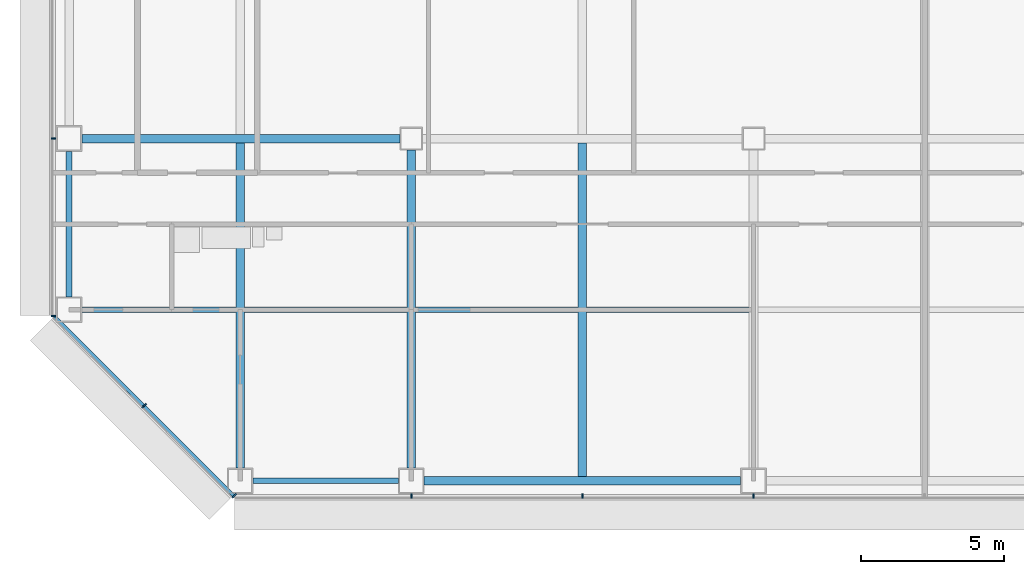
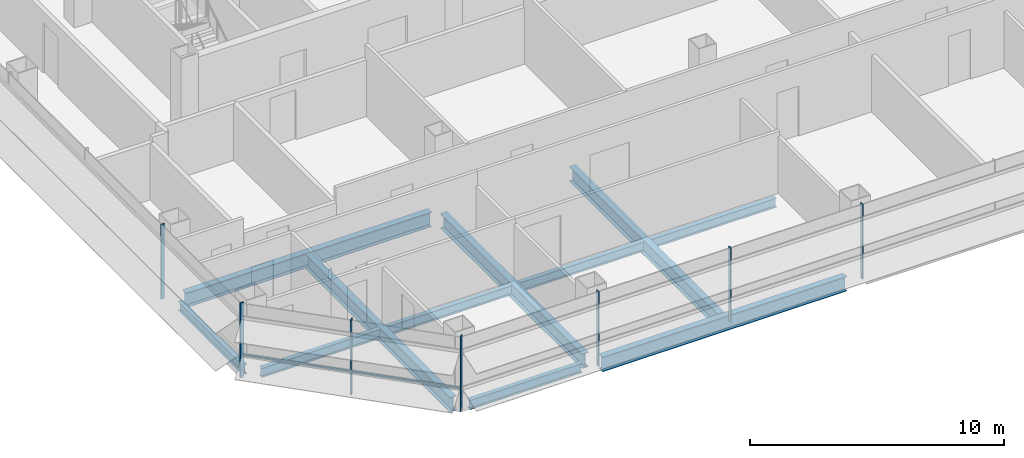
# One storey, part 2 of 27: 11 beams, 8 members, 3 elements without a shape of their own.
"""IFC4 building model written with IfcOpenShell, lengths in metres."""

from ifc_helpers import new_model, si_unit, direction, frame, origin, origin_2d, place, context, subcontext, project, spatial, rectangle, i_section, extrude, material, material_profile, profile_set, type_object, element, aggregate, save


model = new_model("IFC4")

# Units and contexts
model_context = context("Model", 3, precision=1e-05, world=origin(), true_north=direction((0.0, 1.0)))
body_context = subcontext(model_context, "Body", "Model", "MODEL_VIEW")
ifc_project = project(units=[si_unit("LENGTHUNIT", "METRE"), si_unit("AREAUNIT", "SQUARE_METRE"), si_unit("VOLUMEUNIT", "CUBIC_METRE"), si_unit("PLANEANGLEUNIT", "RADIAN"), si_unit("MASSUNIT", "GRAM", prefix="KILO")], contexts=[model_context])

# Site, building, storey
site_placement = place(None, origin())
site = spatial("IfcSite", under=ifc_project, at=site_placement, CompositionType="ELEMENT")
building_placement = place(site_placement, origin())
building = spatial("IfcBuilding", under=site, at=building_placement, Name="Sorahane Residences", CompositionType="ELEMENT")
storey_placement = place(building_placement, frame((0.0, 0.0, 75.0)))
storey = spatial("IfcBuildingStorey", under=building, at=storey_placement, Name="L15", CompositionType="ELEMENT", Elevation=75.0)

# Curtain wall, members
ifc_material_1 = material(Name="Dark low-e glass and black anodised aluminium", Category="aluminium")
curtain_wall_type_1 = type_object("IfcCurtainWallType", Name="Curtain wall CW-1 Typical unitised wall", PredefinedType="NOTDEFINED", material=ifc_material_1)
curtain_wall_1_placement = place(storey_placement, origin())
curtain_wall_1 = element("IfcCurtainWall", 1, at=curtain_wall_1_placement, inside=storey, type_object=curtain_wall_type_1, Name="CW-1 curtain wall L15 S1", PredefinedType="NOTDEFINED")
ifc_material_2 = material(Name="Black anodised aluminium", Category="aluminium")
ifc_material_profile_1 = material_profile(ifc_material_2, rectangle(XDim=0.159912109375, YDim=0.050048828125, at=origin_2d()), Name="Curtain wall mullion CW-1 black anodised aluminium 50x160")
ifc_profile_set_1 = profile_set([ifc_material_profile_1], Name="Black anodised aluminium")
member_type_1 = type_object("IfcMemberType", Name="Curtain wall mullion CW-1 black anodised aluminium 50x160", PredefinedType="MULLION", material=ifc_profile_set_1)
member_1_placement = place(storey_placement, frame((12.0, -0.5400390625, -0.179931640625), z_axis=(0.0, 0.0, 1.0), x_axis=(0.0, -1.0, 0.0)))
member_1 = element("IfcMember", 2, at=member_1_placement, type_object=member_type_1, Name="CW-1 mullion L15 S1.2", PredefinedType="MULLION", context=body_context, shape_type="SweptSolid", body=[
    extrude(rectangle(XDim=0.159912109375, YDim=0.050048828125, at=origin_2d()), origin(), (0.0, 0.0, 1.0), 3.599853515625),
])
member_2_placement = place(storey_placement, frame((18.0, -0.5400390625, -0.179931640625), z_axis=(0.0, 0.0, 1.0), x_axis=(0.0, -1.0, 0.0)))
member_2 = element("IfcMember", 3, at=member_2_placement, type_object=member_type_1, Name="CW-1 mullion L15 S1.3", PredefinedType="MULLION", context=body_context, shape_type="SweptSolid", body=[
    extrude(rectangle(XDim=0.159912109375, YDim=0.050048828125, at=origin_2d()), origin(), (0.0, 0.0, 1.0), 3.599853515625),
])
member_3_placement = place(storey_placement, frame((24.0, -0.5400390625, -0.179931640625), z_axis=(0.0, 0.0, 1.0), x_axis=(0.0, -1.0, 0.0)))
member_3 = element("IfcMember", 4, at=member_3_placement, type_object=member_type_1, Name="CW-1 mullion L15 S1.4", PredefinedType="MULLION", context=body_context, shape_type="SweptSolid", body=[
    extrude(rectangle(XDim=0.159912109375, YDim=0.050048828125, at=origin_2d()), origin(), (0.0, 0.0, 1.0), 3.599853515625),
])
aggregate(curtain_wall_1, [member_1, member_2, member_3])

curtain_wall_2_placement = place(storey_placement, origin())
curtain_wall_2 = element("IfcCurtainWall", 5, at=curtain_wall_2_placement, inside=storey, type_object=curtain_wall_type_1, Name="CW-1 curtain wall L15 W1", PredefinedType="NOTDEFINED")
member_4_placement = place(storey_placement, frame((-0.5400390625, 12.0, -0.179931640625), z_axis=(0.0, 0.0, 1.0), x_axis=(-1.0, 0.0, 0.0)))
member_4 = element("IfcMember", 6, at=member_4_placement, type_object=member_type_1, Name="CW-1 mullion L15 W1.6", PredefinedType="MULLION", context=body_context, shape_type="SweptSolid", body=[
    extrude(rectangle(XDim=0.159912109375, YDim=0.050048828125, at=origin_2d()), origin(), (0.0, 0.0, 1.0), 3.599853515625),
])
member_5_placement = place(storey_placement, frame((-0.5400390625, 5.7763671875, -0.179931640625), z_axis=(0.0, 0.0, 1.0), x_axis=(-1.0, 0.0, 0.0)))
member_5 = element("IfcMember", 7, at=member_5_placement, type_object=member_type_1, Name="CW-1 mullion L15 W1.7", PredefinedType="MULLION", context=body_context, shape_type="SweptSolid", body=[
    extrude(rectangle(XDim=0.159912109375, YDim=0.050048828125, at=origin_2d()), origin(), (0.0, 0.0, 1.0), 3.599853515625),
])
aggregate(curtain_wall_2, [member_4, member_5])

ifc_material_3 = material(Name="Dark low-e glass and black anodised aluminium", Category="aluminium")
curtain_wall_type_2 = type_object("IfcCurtainWallType", Name="Curtain wall CW-2 Chamfer unitised wall", PredefinedType="NOTDEFINED", material=ifc_material_3)
curtain_wall_3_placement = place(storey_placement, origin())
curtain_wall_3 = element("IfcCurtainWall", 8, at=curtain_wall_3_placement, inside=storey, type_object=curtain_wall_type_2, Name="CW-2 curtain wall L15 SW1", PredefinedType="NOTDEFINED")
ifc_material_4 = material(Name="Black anodised aluminium", Category="aluminium")
ifc_material_profile_2 = material_profile(ifc_material_4, rectangle(XDim=0.199951171875, YDim=0.050048828125, at=origin_2d()), Name="Curtain wall mullion CW-2 black anodised aluminium 50x200")
ifc_profile_set_2 = profile_set([ifc_material_profile_2], Name="Black anodised aluminium")
member_type_2 = type_object("IfcMemberType", Name="Curtain wall mullion CW-2 black anodised aluminium 50x200", PredefinedType="MULLION", material=ifc_profile_set_2)
member_6_placement = place(storey_placement, frame((2.63232421875, 2.63232421875, -0.179931640625), z_axis=(0.0, 0.0, 1.0), x_axis=(-0.707106781187, -0.707106781187, 0.0)))
member_6 = element("IfcMember", 9, at=member_6_placement, type_object=member_type_2, Name="CW-2 mullion L15 SW1.2", PredefinedType="MULLION", context=body_context, shape_type="SweptSolid", body=[
    extrude(rectangle(XDim=0.199951171875, YDim=0.050048828125, at=origin_2d()), origin(), (0.0, 0.0, 1.0), 3.599853515625),
])
member_7_placement = place(storey_placement, frame((5.790283203125, -0.525634765625, -0.179931640625), z_axis=(0.0, 0.0, 1.0), x_axis=(-0.707106781187, -0.707106781187, 0.0)))
member_7 = element("IfcMember", 10, at=member_7_placement, type_object=member_type_2, Name="CW-2 mullion L15 SW1.3", PredefinedType="MULLION", context=body_context, shape_type="SweptSolid", body=[
    extrude(rectangle(XDim=0.199951171875, YDim=0.050048828125, at=origin_2d()), origin(), (0.0, 0.0, 1.0), 3.599853515625),
])
ifc_material_5 = material(Name="Black anodised aluminium", Category="aluminium")
ifc_material_profile_3 = material_profile(ifc_material_5, rectangle(XDim=0.10009765625, YDim=0.06005859375, at=origin_2d()), Name="Curtain wall transom CW-2 black anodised aluminium 60x100")
ifc_profile_set_3 = profile_set([ifc_material_profile_3], Name="Black anodised aluminium")
member_type_3 = type_object("IfcMemberType", Name="Curtain wall transom CW-2 black anodised aluminium 60x100", PredefinedType="USERDEFINED", material=ifc_profile_set_3)
member_8_placement = place(storey_placement, frame((-0.51513671875, 5.765625, 0.89990234375), z_axis=(0.707106781187, -0.707106781187, 0.0), x_axis=(0.707106781187, 0.707106781187, 0.0)))
member_8 = element("IfcMember", 11, at=member_8_placement, type_object=member_type_3, Name="CW-2 transom L15 SW1", ObjectType="TRANSOM", PredefinedType="USERDEFINED", context=body_context, shape_type="SweptSolid", body=[
    extrude(rectangle(XDim=0.10009765625, YDim=0.06005859375, at=origin_2d()), origin(), (0.0, 0.0, 1.0), 8.88232421875),
])
aggregate(curtain_wall_3, [member_6, member_7, member_8])

# Beams
ifc_material_6 = material(Name="Steel Q355B", Category="steel")
ifc_material_profile_4 = material_profile(ifc_material_6, i_section(OverallWidth=0.199951171875, OverallDepth=0.449951171875, WebThickness=0.009033203125, FlangeThickness=0.013916015625, FilletRadius=0.02001953125, at=origin_2d()), Name="HN 450x200x9x14")
ifc_profile_set_4 = profile_set([ifc_material_profile_4], Name="Steel Q355B")
beam_type_1 = type_object("IfcBeamType", Name="Steel floor beam HN 450x200x9x14 Q355B", PredefinedType="BEAM", material=ifc_profile_set_4)
for number, where, z_axis, x_axis, name in (
    (12, (6.449951171875, 0.0, -0.405029296875), (1.0, 0.0, 0.0), (0.0, 1.0, 0.0), "Beam L15 000"),
    (13, (0.0, 6.449951171875, -0.405029296875), (0.0, 1.0, 0.0), (-1.0, 0.0, 0.0), "Beam L15 017"),
):
    element("IfcBeam", number, at=place(storey_placement, frame(where, z_axis=z_axis, x_axis=x_axis)), inside=storey, type_object=beam_type_1, Name=name, PredefinedType="BEAM", context=body_context, shape_type="SweptSolid", body=[
        extrude(i_section(OverallWidth=0.199951171875, OverallDepth=0.449951171875, WebThickness=0.009033203125, FlangeThickness=0.013916015625, FilletRadius=0.02001953125, at=origin_2d()), origin(), (0.0, 0.0, 1.0), 5.10009765625),
    ])
beam_1_placement = place(storey_placement, frame((0.449951171875, 6.0, -0.405029296875), z_axis=(1.0, 0.0, 0.0), x_axis=(0.0, 1.0, 0.0)))
element("IfcBeam", 14, at=beam_1_placement, inside=storey, type_object=beam_type_1, Name="Beam L15 061", PredefinedType="BEAM", context=body_context, shape_type="SweptSolid", body=[
    extrude(i_section(OverallWidth=0.199951171875, OverallDepth=0.449951171875, WebThickness=0.009033203125, FlangeThickness=0.013916015625, FilletRadius=0.02001953125, at=origin_2d()), origin(), (0.0, 0.0, 1.0), 5.400146484375),
])
for number, where, z_axis, x_axis, name in (
    (15, (6.14990234375, 6.0, -0.405029296875), (1.0, 0.0, 0.0), (0.0, 1.0, 0.0), "Beam L15 062"),
    (16, (12.14990234375, 6.0, -0.405029296875), (1.0, 0.0, 0.0), (0.0, 1.0, 0.0), "Beam L15 063"),
    (17, (18.14990234375, 6.0, -0.405029296875), (1.0, 0.0, 0.0), (0.0, 1.0, 0.0), "Beam L15 064"),
):
    element("IfcBeam", number, at=place(storey_placement, frame(where, z_axis=z_axis, x_axis=x_axis)), inside=storey, type_object=beam_type_1, Name=name, PredefinedType="BEAM", context=body_context, shape_type="SweptSolid", body=[
        extrude(i_section(OverallWidth=0.199951171875, OverallDepth=0.449951171875, WebThickness=0.009033203125, FlangeThickness=0.013916015625, FilletRadius=0.02001953125, at=origin_2d()), origin(), (0.0, 0.0, 1.0), 5.7001953125),
    ])
ifc_material_7 = material(Name="Steel Q355B", Category="steel")
ifc_material_profile_5 = material_profile(ifc_material_7, i_section(OverallWidth=0.300048828125, OverallDepth=0.699951171875, WebThickness=0.012939453125, FlangeThickness=0.02392578125, FilletRadius=0.028076171875, at=origin_2d()), Name="HN 700x300x13x24")
ifc_profile_set_5 = profile_set([ifc_material_profile_5], Name="Steel Q355B")
beam_type_2 = type_object("IfcBeamType", Name="Steel floor beam HN 700x300x13x24 Q355B", PredefinedType="BEAM", material=ifc_profile_set_5)
beam_2_placement = place(storey_placement, frame((12.449951171875, 0.0, -0.530029296875), z_axis=(1.0, 0.0, 0.0), x_axis=(0.0, 1.0, 0.0)))
element("IfcBeam", 18, at=beam_2_placement, inside=storey, type_object=beam_type_2, Name="Beam L15 001", PredefinedType="BEAM", context=body_context, shape_type="SweptSolid", body=[
    extrude(i_section(OverallWidth=0.300048828125, OverallDepth=0.699951171875, WebThickness=0.012939453125, FlangeThickness=0.02392578125, FilletRadius=0.028076171875, at=origin_2d()), origin(), (0.0, 0.0, 1.0), 11.10009765625),
])
beam_3_placement = place(storey_placement, frame((0.449951171875, 12.0, -0.530029296875), z_axis=(1.0, 0.0, 0.0), x_axis=(0.0, 1.0, 0.0)))
element("IfcBeam", 19, at=beam_3_placement, inside=storey, type_object=beam_type_2, Name="Beam L15 005", PredefinedType="BEAM", context=body_context, shape_type="SweptSolid", body=[
    extrude(i_section(OverallWidth=0.300048828125, OverallDepth=0.699951171875, WebThickness=0.012939453125, FlangeThickness=0.02392578125, FilletRadius=0.028076171875, at=origin_2d()), origin(), (0.0, 0.0, 1.0), 11.150146484375),
])
beam_4_placement = place(storey_placement, frame((6.0, 0.449951171875, -0.530029296875), z_axis=(0.0, 1.0, 0.0), x_axis=(-1.0, 0.0, 0.0)))
element("IfcBeam", 20, at=beam_4_placement, inside=storey, type_object=beam_type_2, Name="Beam L15 021", PredefinedType="BEAM", context=body_context, shape_type="SweptSolid", body=[
    extrude(i_section(OverallWidth=0.300048828125, OverallDepth=0.699951171875, WebThickness=0.012939453125, FlangeThickness=0.02392578125, FilletRadius=0.028076171875, at=origin_2d()), origin(), (0.0, 0.0, 1.0), 11.400146484375),
])
beam_5_placement = place(storey_placement, frame((12.0, 0.449951171875, -0.530029296875), z_axis=(0.0, 1.0, 0.0), x_axis=(-1.0, 0.0, 0.0)))
element("IfcBeam", 21, at=beam_5_placement, inside=storey, type_object=beam_type_2, Name="Beam L15 027", PredefinedType="BEAM", context=body_context, shape_type="SweptSolid", body=[
    extrude(i_section(OverallWidth=0.300048828125, OverallDepth=0.699951171875, WebThickness=0.012939453125, FlangeThickness=0.02392578125, FilletRadius=0.028076171875, at=origin_2d()), origin(), (0.0, 0.0, 1.0), 11.150146484375),
])
beam_6_placement = place(storey_placement, frame((18.0, 0.14990234375, -0.530029296875), z_axis=(0.0, 1.0, 0.0), x_axis=(-1.0, 0.0, 0.0)))
element("IfcBeam", 22, at=beam_6_placement, inside=storey, type_object=beam_type_2, Name="Beam L15 029", PredefinedType="BEAM", context=body_context, shape_type="SweptSolid", body=[
    extrude(i_section(OverallWidth=0.300048828125, OverallDepth=0.699951171875, WebThickness=0.012939453125, FlangeThickness=0.02392578125, FilletRadius=0.028076171875, at=origin_2d()), origin(), (0.0, 0.0, 1.0), 11.7001953125),
])

save(model, "model.ifc")
